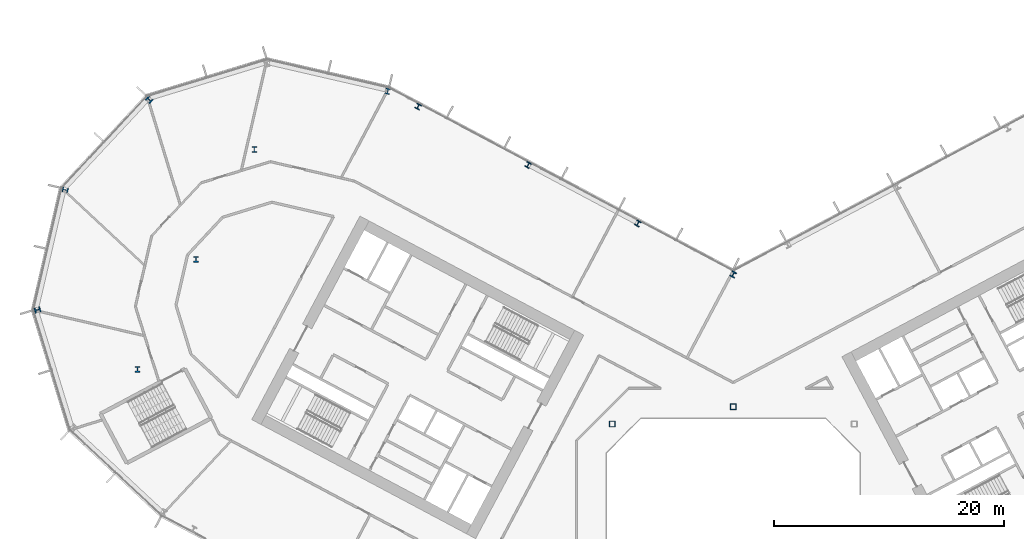
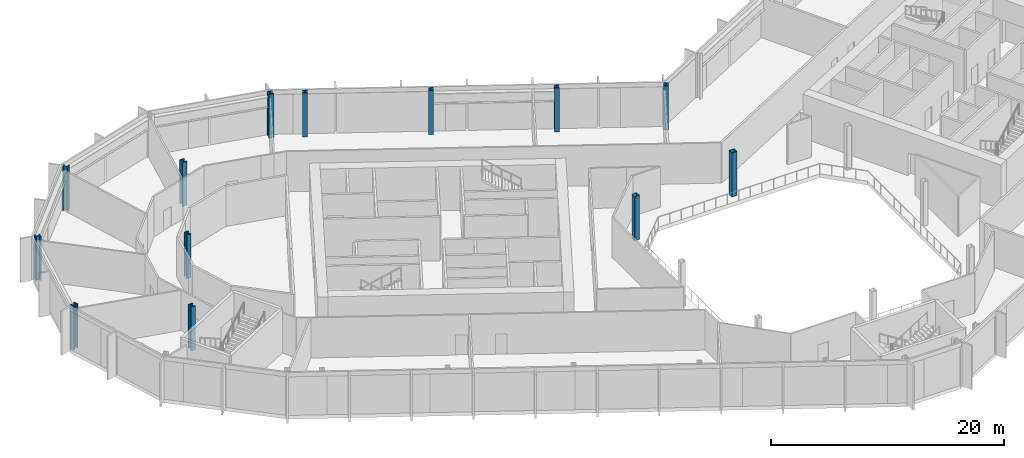
# One storey, part 2 of 30: 13 columns.
"""IFC4 building model written with IfcOpenShell, lengths in metres."""

import ifcopenshell
import ifcopenshell.guid

model = None  # the IFC model being written
_history = None  # IfcOwnerHistory: only IFC2X3 demands one
_inside = {}  # id of a spatial element -> (the spatial element, [elements in it])
_under = {}  # id of a project, library or spatial element -> (it, [spatial elements below it])
_declared = {}  # id of a project -> (the project, [libraries it declares])
_typed = {}  # id of a type object -> (the type object, [elements of that type])
_made_of = {}  # id of a material, layer set ... -> (it, [elements and type objects made of it])


def new_model(schema):
    """Start an empty IFC model of exactly this schema.

    Asked for "IFC4X3", IfcOpenShell would pick the latest addendum, in which some entities
    have other attributes; the version numbers below select the first issue.
    IFC2X3 requires an IfcOwnerHistory on every rooted entity: one is made here for all.
    """
    global model, _history
    if schema == "IFC4X3":
        model = ifcopenshell.file(schema_version=(4, 3, 0, 0))
    else:
        model = ifcopenshell.file(schema=schema)
    _inside.clear()
    _under.clear()
    _declared.clear()
    _typed.clear()
    _made_of.clear()
    _history = None
    if model.schema == "IFC2X3":
        org = make("IfcOrganization", Name="unknown")
        user = make(
            "IfcPersonAndOrganization",
            ThePerson=make("IfcPerson", FamilyName="unknown"),
            TheOrganization=org,
        )
        app = make(
            "IfcApplication",
            ApplicationDeveloper=org,
            Version="unknown",
            ApplicationFullName="unknown",
            ApplicationIdentifier="unknown",
        )
        _history = make(
            "IfcOwnerHistory",
            OwningUser=user,
            OwningApplication=app,
            ChangeAction="ADDED",
            CreationDate=0,
        )
    return model


def make(cls, **values):
    """One entity of the class cls with the attributes given. An attribute that is None is left unset."""
    return model.create_entity(
        cls, **{name: value for name, value in values.items() if value is not None}
    )


def rooted(cls, **values):
    """An entity with a GlobalId (a new one), such as an element, a storey or a relation."""
    return make(cls, GlobalId=ifcopenshell.guid.new(), OwnerHistory=_history, **values)


def si_unit(unit_type, name, prefix=None):
    """IfcSIUnit, for example si_unit("LENGTHUNIT", "METRE", prefix="MILLI")."""
    return make("IfcSIUnit", UnitType=unit_type, Prefix=prefix, Name=name)


def assignment(units):
    """IfcUnitAssignment: the units of a project."""
    return None if units is None else make("IfcUnitAssignment", Units=units)


def point(xyz):
    """IfcCartesianPoint."""
    return None if xyz is None else make("IfcCartesianPoint", Coordinates=xyz)


def direction(xyz):
    """IfcDirection."""
    return None if xyz is None else make("IfcDirection", DirectionRatios=xyz)


def frame(location, z_axis=None, x_axis=None):
    """IfcAxis2Placement3D, a coordinate frame: its origin and axes. An axis left out is left unset."""
    return make(
        "IfcAxis2Placement3D",
        Location=point(location),
        Axis=direction(z_axis),
        RefDirection=direction(x_axis),
    )


def frame_2d(location, x_axis=None):
    """IfcAxis2Placement2D, a coordinate frame in the plane: its origin and x axis."""
    return make(
        "IfcAxis2Placement2D", Location=point(location), RefDirection=direction(x_axis)
    )


def origin():
    """The frame at (0, 0, 0) with its axes left unset."""
    return frame((0.0, 0.0, 0.0))


def origin_2d():
    """The frame at (0, 0) in the plane with its x axis left unset."""
    return frame_2d((0.0, 0.0))


def place(relative_to, where):
    """IfcLocalPlacement: puts the frame where relative to a parent placement (None: the world)."""
    return make(
        "IfcLocalPlacement", PlacementRelTo=relative_to, RelativePlacement=where
    )


def context(
    kind, dimensions, precision=None, world=None, true_north=None, identifier=None
):
    """IfcGeometricRepresentationContext, for example the 3D "Model" context."""
    return make(
        "IfcGeometricRepresentationContext",
        ContextIdentifier=identifier,
        ContextType=kind,
        CoordinateSpaceDimension=dimensions,
        Precision=precision,
        WorldCoordinateSystem=world,
        TrueNorth=true_north,
    )


def subcontext(parent, identifier, kind, view, scale=None):
    """IfcGeometricRepresentationSubContext, for example "Body" below "Model"."""
    return make(
        "IfcGeometricRepresentationSubContext",
        ContextIdentifier=identifier,
        ContextType=kind,
        ParentContext=parent,
        TargetScale=scale,
        TargetView=view,
    )


def project(units=None, contexts=None):
    """IfcProject with its units and contexts."""
    return rooted(
        "IfcProject",
        Name="project",
        RepresentationContexts=contexts,
        UnitsInContext=assignment(units),
    )


def spatial(cls, under=None, at=None, **own):
    """A site, building, storey or space (cls), placed at a placement, below another one or the project."""
    s = rooted(cls, ObjectPlacement=at, **own)
    if under is not None:
        _under.setdefault(under.id(), (under, []))[1].append(s)
    return s


def profile(cls, at=None, kind="AREA", **sizes):
    """A parametric profile (cls). Its sizes go by their IFC names, for example OverallWidth=200.0."""
    return make(cls, ProfileType=kind, Position=at, **sizes)


def hollow_rectangle(**sizes):
    """IfcRectangleHollowProfileDef."""
    return profile("IfcRectangleHollowProfileDef", **sizes)


def i_section(**sizes):
    """IfcIShapeProfileDef."""
    return profile("IfcIShapeProfileDef", **sizes)


def extrude(swept, where, along, depth):
    """IfcExtrudedAreaSolid: the profile swept, set in the frame where, extruded along a direction by depth."""
    return make(
        "IfcExtrudedAreaSolid",
        SweptArea=swept,
        Position=where,
        ExtrudedDirection=direction(along),
        Depth=depth,
    )


def shape(context_of_items, identifier, shape_type, items):
    """IfcShapeRepresentation: the items that make up one representation, for example the "Body"."""
    return make(
        "IfcShapeRepresentation",
        ContextOfItems=context_of_items,
        RepresentationIdentifier=identifier,
        RepresentationType=shape_type,
        Items=items,
    )


def material(Name=None, Category=None):
    """IfcMaterial."""
    return make("IfcMaterial", Name=Name, Category=Category)


def material_profile(
    of_material, cross_section, Name=None, Category=None, Priority=None
):
    """IfcMaterialProfile: a cross section and its material."""
    return make(
        "IfcMaterialProfile",
        Name=Name,
        Material=of_material,
        Profile=cross_section,
        Priority=Priority,
        Category=Category,
    )


def profile_set(profiles, Name=None, composite=None):
    """IfcMaterialProfileSet."""
    return make(
        "IfcMaterialProfileSet",
        Name=Name,
        MaterialProfiles=profiles,
        CompositeProfile=composite,
    )


def made_of(thing, what):
    """Note that an element or type object is made of a material, layer set ...; save() writes the relation."""
    if what is not None:
        _made_of.setdefault(what.id(), (what, []))[1].append(thing)
    return thing


def type_object(cls, material=None, **own):
    """A type object (cls), such as IfcWallType, which elements share."""
    return made_of(rooted(cls, **own), material)


def element(
    cls,
    number,
    at=None,
    inside=None,
    cuts=None,
    type_object=None,
    material=None,
    context=None,
    identifier="Body",
    shape_type=None,
    held_by="IfcProductDefinitionShape",
    body=None,
    shapes=None,
    **own,
):
    """One element of the class cls, such as IfcWall. Its Tag is "e" and its number.

    at: its placement. inside: the storey or other place that contains it. cuts: it is an
    opening in that element (IfcRelVoidsElement). A single representation is given by context,
    identifier, shape_type and body (its items); several are given by shapes. held_by: the class
    of the entity that holds the representations. save() writes the other relations.
    """
    e = rooted(cls, Tag="e%d" % number, ObjectPlacement=at, **own)
    if body is not None:
        shapes = [shape(context, identifier, shape_type, body)]
    if shapes is not None:
        e.Representation = make(held_by, Representations=shapes)
    if inside is not None:
        _inside.setdefault(inside.id(), (inside, []))[1].append(e)
    if cuts is not None:
        rooted(
            "IfcRelVoidsElement", RelatingBuildingElement=cuts, RelatedOpeningElement=e
        )
    if type_object is not None:
        _typed.setdefault(type_object.id(), (type_object, []))[1].append(e)
    return made_of(e, material)


def aggregate(whole, parts):
    """IfcRelAggregates: a whole, such as a stair, and the parts it consists of."""
    return rooted("IfcRelAggregates", RelatingObject=whole, RelatedObjects=parts)


def save(model, path):
    """Write the relations noted so far, then the file.

    IfcRelAggregates (storeys below a building ...), IfcRelContainedInSpatialStructure (elements
    in a storey), IfcRelDefinesByType, IfcRelAssociatesMaterial and IfcRelDeclares: one each for
    every whole, place, type object, material and project.
    """
    for whole, parts in _under.values():
        aggregate(whole, parts)
    for where, things in _inside.values():
        rooted(
            "IfcRelContainedInSpatialStructure",
            RelatedElements=things,
            RelatingStructure=where,
        )
    for kind, things in _typed.values():
        rooted("IfcRelDefinesByType", RelatedObjects=things, RelatingType=kind)
    for what, things in _made_of.values():
        rooted("IfcRelAssociatesMaterial", RelatedObjects=things, RelatingMaterial=what)
    for by, libraries in _declared.values():
        rooted("IfcRelDeclares", RelatingContext=by, RelatedDefinitions=libraries)
    model.write(path)


model = new_model("IFC4")

# Units and contexts
model_context = context("Model", 3, precision=1e-05, world=origin(), true_north=direction((0.0, 1.0)))
body_context = subcontext(model_context, "Body", "Model", "MODEL_VIEW")
ifc_project = project(units=[si_unit("LENGTHUNIT", "METRE"), si_unit("AREAUNIT", "SQUARE_METRE"), si_unit("VOLUMEUNIT", "CUBIC_METRE"), si_unit("PLANEANGLEUNIT", "RADIAN"), si_unit("MASSUNIT", "GRAM", prefix="KILO")], contexts=[model_context])

# Site, building, storey
site_placement = place(None, origin())
site = spatial("IfcSite", under=ifc_project, at=site_placement, CompositionType="ELEMENT")
building_placement = place(site_placement, origin())
building = spatial("IfcBuilding", under=site, at=building_placement, Name="Cormorant Relay Tower", CompositionType="ELEMENT")
storey_placement = place(building_placement, frame((0.0, 0.0, 80.0)))
storey = spatial("IfcBuildingStorey", under=building, at=storey_placement, Name="L15", CompositionType="ELEMENT", Elevation=80.0)

# Columns
ifc_material_1 = material(Name="Steel ASTM A500 Grade C (Fy 345 MPa)", Category="steel")
ifc_material_profile_1 = material_profile(ifc_material_1, hollow_rectangle(XDim=0.508056640625, YDim=0.508056640625, WallThickness=0.020751953125, InnerFilletRadius=0.01025390625, OuterFilletRadius=0.031005859375, at=origin_2d()), Name="HSS508x508x21")
ifc_profile_set_1 = profile_set([ifc_material_profile_1], Name="Steel ASTM A500 Grade C (Fy 345 MPa)")
column_type_1 = type_object("IfcColumnType", Name="Column HSS508x508x21", PredefinedType="COLUMN", material=ifc_profile_set_1)
for number, where, z_axis, x_axis, name in (
    (1, (-10.5, 10.5, 0.0), (0.0, 0.0, 1.0), (1.0, 0.0, 0.0), "Column L15-022"),
    (2, (0.0, 12.0, 0.0), (0.0, 0.0, 1.0), (1.0, 0.0, 0.0), "Column L15-024"),
):
    element("IfcColumn", number, at=place(storey_placement, frame(where, z_axis=z_axis, x_axis=x_axis)), inside=storey, type_object=column_type_1, Name=name, PredefinedType="COLUMN", context=body_context, shape_type="SweptSolid", body=[
        extrude(hollow_rectangle(XDim=0.508056640625, YDim=0.508056640625, WallThickness=0.020751953125, InnerFilletRadius=0.01025390625, OuterFilletRadius=0.031005859375, at=origin_2d()), origin(), (0.0, 0.0, 1.0), 4.60009765625),
    ])
ifc_material_2 = material(Name="Steel ASTM A992 (Fy 345 MPa)", Category="steel")
ifc_material_profile_2 = material_profile(ifc_material_2, i_section(OverallWidth=0.42431640625, OverallDepth=0.47509765625, WebThickness=0.0478515625, FlangeThickness=0.0771484375, FilletRadius=0.014892578125, at=origin_2d()), Name="W360x634")
ifc_profile_set_2 = profile_set([ifc_material_profile_2], Name="Steel ASTM A992 (Fy 345 MPa)")
column_type_2 = type_object("IfcColumnType", Name="Column W360x634", PredefinedType="COLUMN", material=ifc_profile_set_2)
for number, where, z_axis, x_axis, name in (
    (3, (-8.26611328125, 27.906982421875, 0.0), (0.0, 0.0, 1.0), (-0.882947592859, 0.469471562786, 0.0), "Column L15-036"),
    (4, (-17.802001953125, 32.97802734375, 0.0), (0.0, 0.0, 1.0), (-0.882947592859, 0.469471562786, 0.0), "Column L15-041"),
    (5, (-27.337890625, 38.048095703125, 0.0), (0.0, 0.0, 1.0), (-0.882947592859, 0.469471562786, 0.0), "Column L15-046"),
):
    element("IfcColumn", number, at=place(storey_placement, frame(where, z_axis=z_axis, x_axis=x_axis)), inside=storey, type_object=column_type_2, Name=name, PredefinedType="COLUMN", context=body_context, shape_type="SweptSolid", body=[
        extrude(i_section(OverallWidth=0.42431640625, OverallDepth=0.47509765625, WebThickness=0.0478515625, FlangeThickness=0.0771484375, FilletRadius=0.014892578125, at=origin_2d()), origin(), (0.0, 0.0, 1.0), 4.60009765625),
    ])
ifc_material_3 = material(Name="Steel ASTM A992 (Fy 345 MPa)", Category="steel")
ifc_material_profile_3 = material_profile(ifc_material_3, i_section(OverallWidth=0.43701171875, OverallDepth=0.51318359375, WebThickness=0.060546875, FlangeThickness=0.096923828125, FilletRadius=0.015380859375, at=origin_2d()), Name="W360x818")
ifc_profile_set_3 = profile_set([ifc_material_profile_3], Name="Steel ASTM A992 (Fy 345 MPa)")
column_type_3 = type_object("IfcColumnType", Name="Column W360x818", PredefinedType="COLUMN", material=ifc_profile_set_3)
for number, where, z_axis, x_axis, name in (
    (6, (-51.68994140625, 15.251953125, 0.0), (0.0, 0.0, 1.0), (1.0, 0.0, 0.0), "Column L15-027"),
    (7, (-60.3701171875, 20.406005859375, 0.0), (0.0, 0.0, 1.0), (0.292371704723, -0.956304755963, 0.0), "Column L15-030"),
    (8, (0.0, 23.48388671875, 0.0), (0.0, 0.0, 1.0), (-0.882947592859, 0.469471562786, 0.0), "Column L15-032"),
    (9, (-46.6201171875, 24.7880859375, 0.0), (0.0, 0.0, 1.0), (1.0, 0.0, 0.0), "Column L15-034"),
    (10, (-57.966064453125, 30.821044921875, 0.0), (0.0, 0.0, 1.0), (-0.224951054344, -0.974370064785, 0.0), "Column L15-038"),
    (11, (-41.549072265625, 34.323974609375, 0.0), (0.0, 0.0, 1.0), (1.0, 0.0, 0.0), "Column L15-043"),
    (12, (-50.675048828125, 38.637939453125, 0.0), (0.0, 0.0, 1.0), (-0.681998360062, -0.731353701619, 0.0), "Column L15-047"),
    (13, (-29.98193359375, 39.3779296875, 0.0), (0.0, 0.0, 1.0), (-0.974370064785, 0.224951054344, 0.0), "Column L15-048"),
):
    element("IfcColumn", number, at=place(storey_placement, frame(where, z_axis=z_axis, x_axis=x_axis)), inside=storey, type_object=column_type_3, Name=name, PredefinedType="COLUMN", context=body_context, shape_type="SweptSolid", body=[
        extrude(i_section(OverallWidth=0.43701171875, OverallDepth=0.51318359375, WebThickness=0.060546875, FlangeThickness=0.096923828125, FilletRadius=0.015380859375, at=origin_2d()), origin(), (0.0, 0.0, 1.0), 4.60009765625),
    ])

save(model, "model.ifc")
